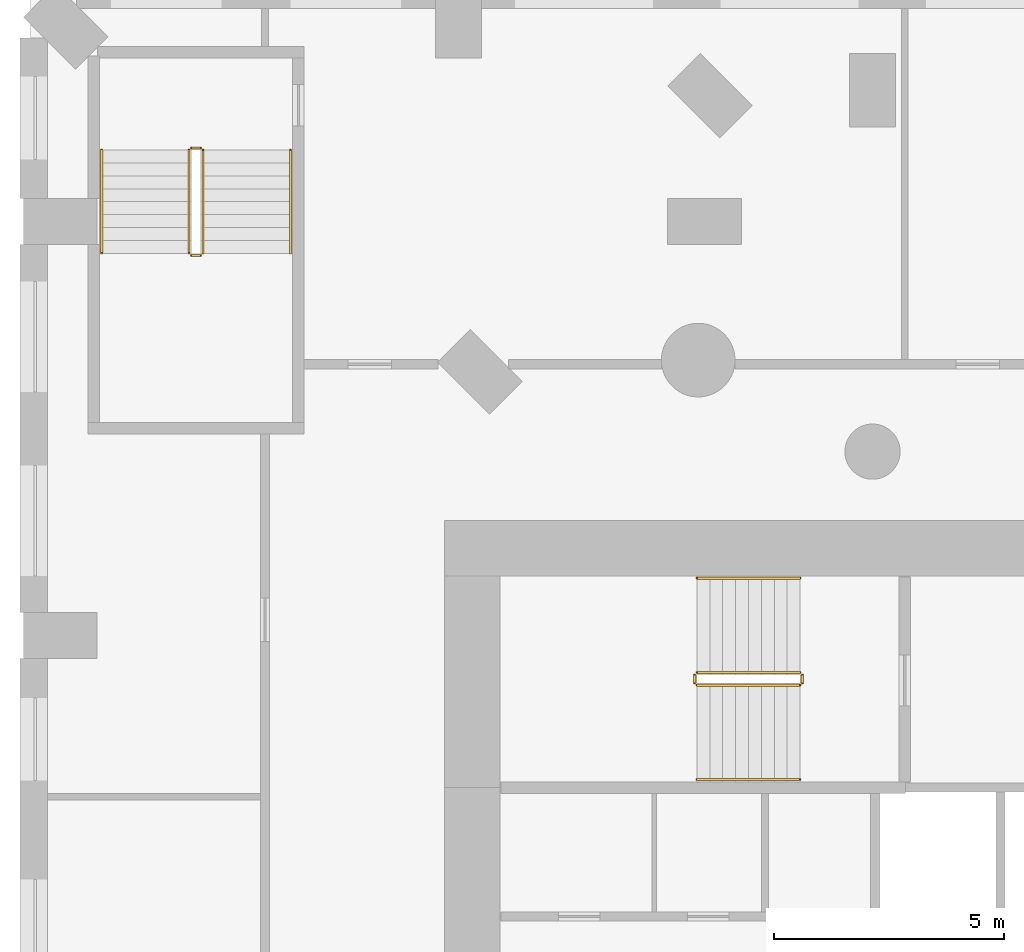
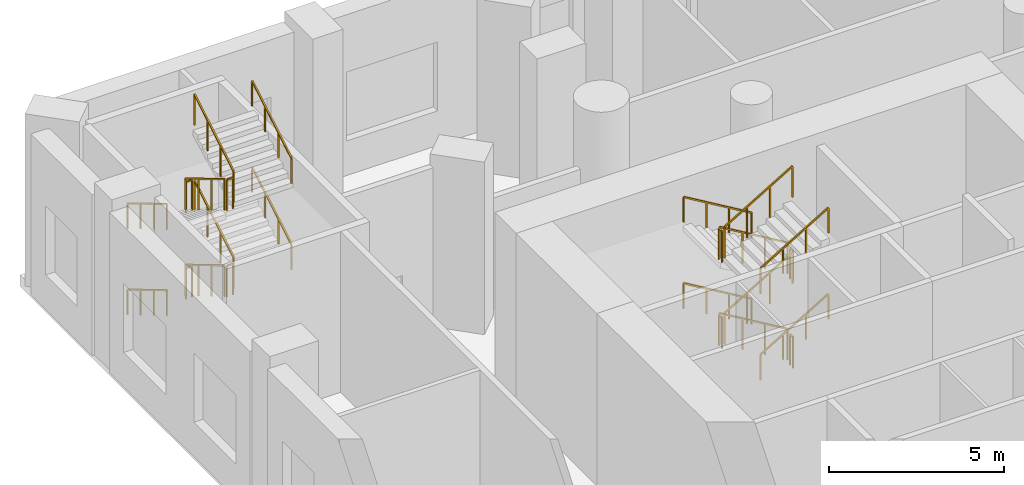
# One storey, part 18 of 19: 24 railings.
"""IFC4 building model written with IfcOpenShell, lengths in metres."""

import ifcopenshell
import ifcopenshell.guid

model = None  # the IFC model being written
_history = None  # IfcOwnerHistory: only IFC2X3 demands one
_inside = {}  # id of a spatial element -> (the spatial element, [elements in it])
_under = {}  # id of a project, library or spatial element -> (it, [spatial elements below it])
_declared = {}  # id of a project -> (the project, [libraries it declares])
_typed = {}  # id of a type object -> (the type object, [elements of that type])
_made_of = {}  # id of a material, layer set ... -> (it, [elements and type objects made of it])


def new_model(schema):
    """Start an empty IFC model of exactly this schema.

    Asked for "IFC4X3", IfcOpenShell would pick the latest addendum, in which some entities
    have other attributes; the version numbers below select the first issue.
    IFC2X3 requires an IfcOwnerHistory on every rooted entity: one is made here for all.
    """
    global model, _history
    if schema == "IFC4X3":
        model = ifcopenshell.file(schema_version=(4, 3, 0, 0))
    else:
        model = ifcopenshell.file(schema=schema)
    _inside.clear()
    _under.clear()
    _declared.clear()
    _typed.clear()
    _made_of.clear()
    _history = None
    if model.schema == "IFC2X3":
        org = make("IfcOrganization", Name="unknown")
        user = make(
            "IfcPersonAndOrganization",
            ThePerson=make("IfcPerson", FamilyName="unknown"),
            TheOrganization=org,
        )
        app = make(
            "IfcApplication",
            ApplicationDeveloper=org,
            Version="unknown",
            ApplicationFullName="unknown",
            ApplicationIdentifier="unknown",
        )
        _history = make(
            "IfcOwnerHistory",
            OwningUser=user,
            OwningApplication=app,
            ChangeAction="ADDED",
            CreationDate=0,
        )
    return model


def make(cls, **values):
    """One entity of the class cls with the attributes given. An attribute that is None is left unset."""
    return model.create_entity(
        cls, **{name: value for name, value in values.items() if value is not None}
    )


def rooted(cls, **values):
    """An entity with a GlobalId (a new one), such as an element, a storey or a relation."""
    return make(cls, GlobalId=ifcopenshell.guid.new(), OwnerHistory=_history, **values)


def si_unit(unit_type, name, prefix=None):
    """IfcSIUnit, for example si_unit("LENGTHUNIT", "METRE", prefix="MILLI")."""
    return make("IfcSIUnit", UnitType=unit_type, Prefix=prefix, Name=name)


def assignment(units):
    """IfcUnitAssignment: the units of a project."""
    return None if units is None else make("IfcUnitAssignment", Units=units)


def point(xyz):
    """IfcCartesianPoint."""
    return None if xyz is None else make("IfcCartesianPoint", Coordinates=xyz)


def direction(xyz):
    """IfcDirection."""
    return None if xyz is None else make("IfcDirection", DirectionRatios=xyz)


def frame(location, z_axis=None, x_axis=None):
    """IfcAxis2Placement3D, a coordinate frame: its origin and axes. An axis left out is left unset."""
    return make(
        "IfcAxis2Placement3D",
        Location=point(location),
        Axis=direction(z_axis),
        RefDirection=direction(x_axis),
    )


def frame_2d(location, x_axis=None):
    """IfcAxis2Placement2D, a coordinate frame in the plane: its origin and x axis."""
    return make(
        "IfcAxis2Placement2D", Location=point(location), RefDirection=direction(x_axis)
    )


def origin():
    """The frame at (0, 0, 0) with its axes left unset."""
    return frame((0.0, 0.0, 0.0))


def origin_2d():
    """The frame at (0, 0) in the plane with its x axis left unset."""
    return frame_2d((0.0, 0.0))


def place(relative_to, where):
    """IfcLocalPlacement: puts the frame where relative to a parent placement (None: the world)."""
    return make(
        "IfcLocalPlacement", PlacementRelTo=relative_to, RelativePlacement=where
    )


def context(
    kind, dimensions, precision=None, world=None, true_north=None, identifier=None
):
    """IfcGeometricRepresentationContext, for example the 3D "Model" context."""
    return make(
        "IfcGeometricRepresentationContext",
        ContextIdentifier=identifier,
        ContextType=kind,
        CoordinateSpaceDimension=dimensions,
        Precision=precision,
        WorldCoordinateSystem=world,
        TrueNorth=true_north,
    )


def subcontext(parent, identifier, kind, view, scale=None):
    """IfcGeometricRepresentationSubContext, for example "Body" below "Model"."""
    return make(
        "IfcGeometricRepresentationSubContext",
        ContextIdentifier=identifier,
        ContextType=kind,
        ParentContext=parent,
        TargetScale=scale,
        TargetView=view,
    )


def project(units=None, contexts=None):
    """IfcProject with its units and contexts."""
    return rooted(
        "IfcProject",
        Name="project",
        RepresentationContexts=contexts,
        UnitsInContext=assignment(units),
    )


def spatial(cls, under=None, at=None, **own):
    """A site, building, storey or space (cls), placed at a placement, below another one or the project."""
    s = rooted(cls, ObjectPlacement=at, **own)
    if under is not None:
        _under.setdefault(under.id(), (under, []))[1].append(s)
    return s


def profile(cls, at=None, kind="AREA", **sizes):
    """A parametric profile (cls). Its sizes go by their IFC names, for example OverallWidth=200.0."""
    return make(cls, ProfileType=kind, Position=at, **sizes)


def rectangle(**sizes):
    """IfcRectangleProfileDef."""
    return profile("IfcRectangleProfileDef", **sizes)


def extrude(swept, where, along, depth):
    """IfcExtrudedAreaSolid: the profile swept, set in the frame where, extruded along a direction by depth."""
    return make(
        "IfcExtrudedAreaSolid",
        SweptArea=swept,
        Position=where,
        ExtrudedDirection=direction(along),
        Depth=depth,
    )


def shape(context_of_items, identifier, shape_type, items):
    """IfcShapeRepresentation: the items that make up one representation, for example the "Body"."""
    return make(
        "IfcShapeRepresentation",
        ContextOfItems=context_of_items,
        RepresentationIdentifier=identifier,
        RepresentationType=shape_type,
        Items=items,
    )


def material(Name=None, Category=None):
    """IfcMaterial."""
    return make("IfcMaterial", Name=Name, Category=Category)


def made_of(thing, what):
    """Note that an element or type object is made of a material, layer set ...; save() writes the relation."""
    if what is not None:
        _made_of.setdefault(what.id(), (what, []))[1].append(thing)
    return thing


def type_object(cls, material=None, **own):
    """A type object (cls), such as IfcWallType, which elements share."""
    return made_of(rooted(cls, **own), material)


def element(
    cls,
    number,
    at=None,
    inside=None,
    cuts=None,
    type_object=None,
    material=None,
    context=None,
    identifier="Body",
    shape_type=None,
    held_by="IfcProductDefinitionShape",
    body=None,
    shapes=None,
    **own,
):
    """One element of the class cls, such as IfcWall. Its Tag is "e" and its number.

    at: its placement. inside: the storey or other place that contains it. cuts: it is an
    opening in that element (IfcRelVoidsElement). A single representation is given by context,
    identifier, shape_type and body (its items); several are given by shapes. held_by: the class
    of the entity that holds the representations. save() writes the other relations.
    """
    e = rooted(cls, Tag="e%d" % number, ObjectPlacement=at, **own)
    if body is not None:
        shapes = [shape(context, identifier, shape_type, body)]
    if shapes is not None:
        e.Representation = make(held_by, Representations=shapes)
    if inside is not None:
        _inside.setdefault(inside.id(), (inside, []))[1].append(e)
    if cuts is not None:
        rooted(
            "IfcRelVoidsElement", RelatingBuildingElement=cuts, RelatedOpeningElement=e
        )
    if type_object is not None:
        _typed.setdefault(type_object.id(), (type_object, []))[1].append(e)
    return made_of(e, material)


def aggregate(whole, parts):
    """IfcRelAggregates: a whole, such as a stair, and the parts it consists of."""
    return rooted("IfcRelAggregates", RelatingObject=whole, RelatedObjects=parts)


def save(model, path):
    """Write the relations noted so far, then the file.

    IfcRelAggregates (storeys below a building ...), IfcRelContainedInSpatialStructure (elements
    in a storey), IfcRelDefinesByType, IfcRelAssociatesMaterial and IfcRelDeclares: one each for
    every whole, place, type object, material and project.
    """
    for whole, parts in _under.values():
        aggregate(whole, parts)
    for where, things in _inside.values():
        rooted(
            "IfcRelContainedInSpatialStructure",
            RelatedElements=things,
            RelatingStructure=where,
        )
    for kind, things in _typed.values():
        rooted("IfcRelDefinesByType", RelatedObjects=things, RelatingType=kind)
    for what, things in _made_of.values():
        rooted("IfcRelAssociatesMaterial", RelatedObjects=things, RelatingMaterial=what)
    for by, libraries in _declared.values():
        rooted("IfcRelDeclares", RelatingContext=by, RelatedDefinitions=libraries)
    model.write(path)


model = new_model("IFC4")

# Units and contexts
model_context = context("Model", 3, precision=1e-05, world=origin(), true_north=direction((0.0, 1.0)))
body_context = subcontext(model_context, "Body", "Model", "MODEL_VIEW")
ifc_project = project(units=[si_unit("LENGTHUNIT", "METRE"), si_unit("AREAUNIT", "SQUARE_METRE"), si_unit("VOLUMEUNIT", "CUBIC_METRE"), si_unit("PLANEANGLEUNIT", "RADIAN"), si_unit("MASSUNIT", "GRAM", prefix="KILO")], contexts=[model_context])

# Site, building, storey
site_placement = place(None, origin())
site = spatial("IfcSite", under=ifc_project, at=site_placement, CompositionType="ELEMENT")
building_placement = place(site_placement, origin())
building = spatial("IfcBuilding", under=site, at=building_placement, Name="Cypress Arch Tower", CompositionType="ELEMENT")
storey_placement = place(building_placement, frame((0.0, 0.0, 44.0)))
storey = spatial("IfcBuildingStorey", under=building, at=storey_placement, Name="L05", CompositionType="ELEMENT", Elevation=44.0)

# Railings
ifc_material_1 = material(Name="Black powder-coated steel square bar 48 mm", Category="steel")
railing_type_1 = type_object("IfcRailingType", Name="Stair handrail HR1", PredefinedType="HANDRAIL", material=ifc_material_1)
railing_1_placement = place(storey_placement, frame((-22.27490234375, 14.75, 0.166748046875)))
element("IfcRailing", 1, at=railing_1_placement, inside=storey, type_object=railing_type_1, Name="L05 B stair handrail 1", PredefinedType="HANDRAIL", context=body_context, shape_type="SweptSolid", body=[
    extrude(rectangle(XDim=0.048095703125, YDim=0.048095703125, at=origin_2d()), frame((0.0, 0.0, 0.8759765625), z_axis=(-0.859305625298, 0.0, 0.511462454469), x_axis=(0.0, -1.0, 0.0)), (0.0, 0.0, 1.0), 2.606689453125),
    extrude(rectangle(XDim=0.0419921875, YDim=0.0419921875, at=origin_2d()), origin(), (0.0, 0.0, 1.0), 0.851806640625),
    extrude(rectangle(XDim=0.0419921875, YDim=0.0419921875, at=origin_2d()), frame((-0.74658203125, 0.0, 0.4443359375)), (0.0, 0.0, 1.0), 0.851806640625),
    extrude(rectangle(XDim=0.0419921875, YDim=0.0419921875, at=origin_2d()), frame((-1.493408203125, 0.0, 0.888916015625)), (0.0, 0.0, 1.0), 0.851806640625),
    extrude(rectangle(XDim=0.0419921875, YDim=0.0419921875, at=origin_2d()), frame((-2.239990234375, 0.0, 1.333251953125)), (0.0, 0.0, 1.0), 0.851806640625),
])
railing_2_placement = place(storey_placement, frame((-24.514892578125, 10.375, 1.666748046875)))
element("IfcRailing", 2, at=railing_2_placement, inside=storey, type_object=railing_type_1, Name="L05 B stair handrail 2", PredefinedType="HANDRAIL", context=body_context, shape_type="SweptSolid", body=[
    extrude(rectangle(XDim=0.048095703125, YDim=0.048095703125, at=origin_2d()), frame((0.0, 0.0, 0.8759765625), z_axis=(0.859305625298, 0.0, 0.511462454469), x_axis=(0.0, 1.0, 0.0)), (0.0, 0.0, 1.0), 2.606689453125),
    extrude(rectangle(XDim=0.0419921875, YDim=0.0419921875, at=origin_2d()), origin(), (0.0, 0.0, 1.0), 0.851806640625),
    extrude(rectangle(XDim=0.0419921875, YDim=0.0419921875, at=origin_2d()), frame((0.74658203125, 0.0, 0.4443359375)), (0.0, 0.0, 1.0), 0.851806640625),
    extrude(rectangle(XDim=0.0419921875, YDim=0.0419921875, at=origin_2d()), frame((1.493408203125, 0.0, 0.888916015625)), (0.0, 0.0, 1.0), 0.851806640625),
    extrude(rectangle(XDim=0.0419921875, YDim=0.0419921875, at=origin_2d()), frame((2.239990234375, 0.0, 1.333251953125)), (0.0, 0.0, 1.0), 0.851806640625),
])
railing_3_placement = place(storey_placement, frame((-22.27490234375, 14.75, 3.166748046875)))
element("IfcRailing", 3, at=railing_3_placement, inside=storey, type_object=railing_type_1, Name="L05 B stair handrail 3", PredefinedType="HANDRAIL", context=body_context, shape_type="SweptSolid", body=[
    extrude(rectangle(XDim=0.048095703125, YDim=0.048095703125, at=origin_2d()), frame((0.0, 0.0, 0.8759765625), z_axis=(-0.859305625298, 0.0, 0.511462454469), x_axis=(0.0, -1.0, 0.0)), (0.0, 0.0, 1.0), 2.606689453125),
    extrude(rectangle(XDim=0.0419921875, YDim=0.0419921875, at=origin_2d()), origin(), (0.0, 0.0, 1.0), 0.851806640625),
    extrude(rectangle(XDim=0.0419921875, YDim=0.0419921875, at=origin_2d()), frame((-0.74658203125, 0.0, 0.4443359375)), (0.0, 0.0, 1.0), 0.851806640625),
    extrude(rectangle(XDim=0.0419921875, YDim=0.0419921875, at=origin_2d()), frame((-1.493408203125, 0.0, 0.888916015625)), (0.0, 0.0, 1.0), 0.851806640625),
    extrude(rectangle(XDim=0.0419921875, YDim=0.0419921875, at=origin_2d()), frame((-2.239990234375, 0.0, 1.333251953125)), (0.0, 0.0, 1.0), 0.851806640625),
])
railing_4_placement = place(storey_placement, frame((-24.514892578125, 10.375, 4.666748046875)))
element("IfcRailing", 4, at=railing_4_placement, inside=storey, type_object=railing_type_1, Name="L05 B stair handrail 4", PredefinedType="HANDRAIL", context=body_context, shape_type="SweptSolid", body=[
    extrude(rectangle(XDim=0.048095703125, YDim=0.048095703125, at=origin_2d()), frame((0.0, 0.0, 0.8759765625), z_axis=(0.859305625298, 0.0, 0.511462454469), x_axis=(0.0, 1.0, 0.0)), (0.0, 0.0, 1.0), 2.606689453125),
    extrude(rectangle(XDim=0.0419921875, YDim=0.0419921875, at=origin_2d()), origin(), (0.0, 0.0, 1.0), 0.851806640625),
    extrude(rectangle(XDim=0.0419921875, YDim=0.0419921875, at=origin_2d()), frame((0.74658203125, 0.0, 0.4443359375)), (0.0, 0.0, 1.0), 0.851806640625),
    extrude(rectangle(XDim=0.0419921875, YDim=0.0419921875, at=origin_2d()), frame((1.493408203125, 0.0, 0.888916015625)), (0.0, 0.0, 1.0), 0.851806640625),
    extrude(rectangle(XDim=0.0419921875, YDim=0.0419921875, at=origin_2d()), frame((2.239990234375, 0.0, 1.333251953125)), (0.0, 0.0, 1.0), 0.851806640625),
])
railing_5_placement = place(storey_placement, frame((-37.449951171875, 24.050048828125, 0.166748046875)))
element("IfcRailing", 5, at=railing_5_placement, inside=storey, type_object=railing_type_1, Name="L05 P2 stair handrail 1", PredefinedType="HANDRAIL", context=body_context, shape_type="SweptSolid", body=[
    extrude(rectangle(XDim=0.048095703125, YDim=0.048095703125, at=origin_2d()), frame((0.0, 0.0, 0.8759765625), z_axis=(0.0, -0.859305625298, 0.511462454469), x_axis=(1.0, 0.0, 0.0)), (0.0, 0.0, 1.0), 2.606689453125),
    extrude(rectangle(XDim=0.0419921875, YDim=0.0419921875, at=origin_2d()), origin(), (0.0, 0.0, 1.0), 0.851806640625),
    extrude(rectangle(XDim=0.0419921875, YDim=0.0419921875, at=origin_2d()), frame((0.0, -0.74658203125, 0.4443359375)), (0.0, 0.0, 1.0), 0.851806640625),
    extrude(rectangle(XDim=0.0419921875, YDim=0.0419921875, at=origin_2d()), frame((0.0, -1.493408203125, 0.888916015625)), (0.0, 0.0, 1.0), 0.851806640625),
    extrude(rectangle(XDim=0.0419921875, YDim=0.0419921875, at=origin_2d()), frame((0.0, -2.239990234375, 1.333251953125)), (0.0, 0.0, 1.0), 0.851806640625),
])
railing_6_placement = place(storey_placement, frame((-33.35009765625, 21.81005859375, 1.666748046875)))
element("IfcRailing", 6, at=railing_6_placement, inside=storey, type_object=railing_type_1, Name="L05 P2 stair handrail 2", PredefinedType="HANDRAIL", context=body_context, shape_type="SweptSolid", body=[
    extrude(rectangle(XDim=0.048095703125, YDim=0.048095703125, at=origin_2d()), frame((0.0, 0.0, 0.8759765625), z_axis=(0.0, 0.859305625298, 0.511462454469), x_axis=(-1.0, 0.0, 0.0)), (0.0, 0.0, 1.0), 2.606689453125),
    extrude(rectangle(XDim=0.0419921875, YDim=0.0419921875, at=origin_2d()), origin(), (0.0, 0.0, 1.0), 0.851806640625),
    extrude(rectangle(XDim=0.0419921875, YDim=0.0419921875, at=origin_2d()), frame((0.0, 0.74658203125, 0.4443359375)), (0.0, 0.0, 1.0), 0.851806640625),
    extrude(rectangle(XDim=0.0419921875, YDim=0.0419921875, at=origin_2d()), frame((0.0, 1.493408203125, 0.888916015625)), (0.0, 0.0, 1.0), 0.851806640625),
    extrude(rectangle(XDim=0.0419921875, YDim=0.0419921875, at=origin_2d()), frame((0.0, 2.239990234375, 1.333251953125)), (0.0, 0.0, 1.0), 0.851806640625),
])
railing_7_placement = place(storey_placement, frame((-37.449951171875, 24.050048828125, 3.166748046875)))
element("IfcRailing", 7, at=railing_7_placement, inside=storey, type_object=railing_type_1, Name="L05 P2 stair handrail 3", PredefinedType="HANDRAIL", context=body_context, shape_type="SweptSolid", body=[
    extrude(rectangle(XDim=0.048095703125, YDim=0.048095703125, at=origin_2d()), frame((0.0, 0.0, 0.8759765625), z_axis=(0.0, -0.859305625298, 0.511462454469), x_axis=(1.0, 0.0, 0.0)), (0.0, 0.0, 1.0), 2.606689453125),
    extrude(rectangle(XDim=0.0419921875, YDim=0.0419921875, at=origin_2d()), origin(), (0.0, 0.0, 1.0), 0.851806640625),
    extrude(rectangle(XDim=0.0419921875, YDim=0.0419921875, at=origin_2d()), frame((0.0, -0.74658203125, 0.4443359375)), (0.0, 0.0, 1.0), 0.851806640625),
    extrude(rectangle(XDim=0.0419921875, YDim=0.0419921875, at=origin_2d()), frame((0.0, -1.493408203125, 0.888916015625)), (0.0, 0.0, 1.0), 0.851806640625),
    extrude(rectangle(XDim=0.0419921875, YDim=0.0419921875, at=origin_2d()), frame((0.0, -2.239990234375, 1.333251953125)), (0.0, 0.0, 1.0), 0.851806640625),
])
railing_8_placement = place(storey_placement, frame((-33.35009765625, 21.81005859375, 4.666748046875)))
element("IfcRailing", 8, at=railing_8_placement, inside=storey, type_object=railing_type_1, Name="L05 P2 stair handrail 4", PredefinedType="HANDRAIL", context=body_context, shape_type="SweptSolid", body=[
    extrude(rectangle(XDim=0.048095703125, YDim=0.048095703125, at=origin_2d()), frame((0.0, 0.0, 0.8759765625), z_axis=(0.0, 0.859305625298, 0.511462454469), x_axis=(-1.0, 0.0, 0.0)), (0.0, 0.0, 1.0), 2.606689453125),
    extrude(rectangle(XDim=0.0419921875, YDim=0.0419921875, at=origin_2d()), origin(), (0.0, 0.0, 1.0), 0.851806640625),
    extrude(rectangle(XDim=0.0419921875, YDim=0.0419921875, at=origin_2d()), frame((0.0, 0.74658203125, 0.4443359375)), (0.0, 0.0, 1.0), 0.851806640625),
    extrude(rectangle(XDim=0.0419921875, YDim=0.0419921875, at=origin_2d()), frame((0.0, 1.493408203125, 0.888916015625)), (0.0, 0.0, 1.0), 0.851806640625),
    extrude(rectangle(XDim=0.0419921875, YDim=0.0419921875, at=origin_2d()), frame((0.0, 2.239990234375, 1.333251953125)), (0.0, 0.0, 1.0), 0.851806640625),
])
ifc_material_2 = material(Name="Black powder-coated steel balusters", Category="steel")
railing_type_2 = type_object("IfcRailingType", Name="Stair well guard G1", PredefinedType="GUARDRAIL", material=ifc_material_2)
railing_9_placement = place(storey_placement, frame((-22.27490234375, 12.699951171875, 0.166748046875)))
element("IfcRailing", 9, at=railing_9_placement, inside=storey, type_object=railing_type_2, Name="L05 B stair guard 1", PredefinedType="GUARDRAIL", context=body_context, shape_type="SweptSolid", body=[
    extrude(rectangle(XDim=0.048095703125, YDim=0.048095703125, at=origin_2d()), frame((0.0, 0.0, 1.076171875), z_axis=(-0.859305625298, 0.0, 0.511462454469), x_axis=(0.0, -1.0, 0.0)), (0.0, 0.0, 1.0), 2.606689453125),
    extrude(rectangle(XDim=0.0419921875, YDim=0.0419921875, at=origin_2d()), origin(), (0.0, 0.0, 1.0), 1.052001953125),
    extrude(rectangle(XDim=0.0419921875, YDim=0.0419921875, at=origin_2d()), frame((-0.74658203125, 0.0, 0.4443359375)), (0.0, 0.0, 1.0), 1.052001953125),
    extrude(rectangle(XDim=0.0419921875, YDim=0.0419921875, at=origin_2d()), frame((-1.493408203125, 0.0, 0.888916015625)), (0.0, 0.0, 1.0), 1.052001953125),
    extrude(rectangle(XDim=0.0419921875, YDim=0.0419921875, at=origin_2d()), frame((-2.239990234375, 0.0, 1.333251953125)), (0.0, 0.0, 1.0), 1.052001953125),
])
railing_10_placement = place(storey_placement, frame((-24.56494140625, 12.64990234375, 1.5)))
element("IfcRailing", 10, at=railing_10_placement, inside=storey, type_object=railing_type_2, Name="L05 B stair guard 2", PredefinedType="GUARDRAIL", context=body_context, shape_type="SweptSolid", body=[
    extrude(rectangle(XDim=0.048095703125, YDim=0.048095703125, at=origin_2d()), frame((0.0, 0.0, 1.076171875), z_axis=(0.0, -1.0, 0.0), x_axis=(1.0, 0.0, 0.0)), (0.0, 0.0, 1.0), 0.1748046875),
    extrude(rectangle(XDim=0.0419921875, YDim=0.0419921875, at=origin_2d()), origin(), (0.0, 0.0, 1.0), 1.052001953125),
    extrude(rectangle(XDim=0.0419921875, YDim=0.0419921875, at=origin_2d()), frame((0.0, -0.1748046875, 0.0)), (0.0, 0.0, 1.0), 1.052001953125),
])
railing_11_placement = place(storey_placement, frame((-24.514892578125, 12.425048828125, 1.666748046875)))
element("IfcRailing", 11, at=railing_11_placement, inside=storey, type_object=railing_type_2, Name="L05 B stair guard 3", PredefinedType="GUARDRAIL", context=body_context, shape_type="SweptSolid", body=[
    extrude(rectangle(XDim=0.048095703125, YDim=0.048095703125, at=origin_2d()), frame((0.0, 0.0, 1.076171875), z_axis=(0.859305625298, 0.0, 0.511462454469), x_axis=(0.0, 1.0, 0.0)), (0.0, 0.0, 1.0), 2.606689453125),
    extrude(rectangle(XDim=0.0419921875, YDim=0.0419921875, at=origin_2d()), origin(), (0.0, 0.0, 1.0), 1.052001953125),
    extrude(rectangle(XDim=0.0419921875, YDim=0.0419921875, at=origin_2d()), frame((0.74658203125, 0.0, 0.4443359375)), (0.0, 0.0, 1.0), 1.052001953125),
    extrude(rectangle(XDim=0.0419921875, YDim=0.0419921875, at=origin_2d()), frame((1.493408203125, 0.0, 0.888916015625)), (0.0, 0.0, 1.0), 1.052001953125),
    extrude(rectangle(XDim=0.0419921875, YDim=0.0419921875, at=origin_2d()), frame((2.239990234375, 0.0, 1.333251953125)), (0.0, 0.0, 1.0), 1.052001953125),
])
railing_12_placement = place(storey_placement, frame((-22.22509765625, 12.64990234375, 3.0)))
element("IfcRailing", 12, at=railing_12_placement, inside=storey, type_object=railing_type_2, Name="L05 B stair guard 4", PredefinedType="GUARDRAIL", context=body_context, shape_type="SweptSolid", body=[
    extrude(rectangle(XDim=0.048095703125, YDim=0.048095703125, at=origin_2d()), frame((0.0, 0.0, 1.076171875), z_axis=(0.0, -1.0, 0.0), x_axis=(1.0, 0.0, 0.0)), (0.0, 0.0, 1.0), 0.1748046875),
    extrude(rectangle(XDim=0.0419921875, YDim=0.0419921875, at=origin_2d()), origin(), (0.0, 0.0, 1.0), 1.052001953125),
    extrude(rectangle(XDim=0.0419921875, YDim=0.0419921875, at=origin_2d()), frame((0.0, -0.1748046875, 0.0)), (0.0, 0.0, 1.0), 1.052001953125),
])
railing_13_placement = place(storey_placement, frame((-22.27490234375, 12.699951171875, 3.166748046875)))
element("IfcRailing", 13, at=railing_13_placement, inside=storey, type_object=railing_type_2, Name="L05 B stair guard 5", PredefinedType="GUARDRAIL", context=body_context, shape_type="SweptSolid", body=[
    extrude(rectangle(XDim=0.048095703125, YDim=0.048095703125, at=origin_2d()), frame((0.0, 0.0, 1.076171875), z_axis=(-0.859305625298, 0.0, 0.511462454469), x_axis=(0.0, -1.0, 0.0)), (0.0, 0.0, 1.0), 2.606689453125),
    extrude(rectangle(XDim=0.0419921875, YDim=0.0419921875, at=origin_2d()), origin(), (0.0, 0.0, 1.0), 1.052001953125),
    extrude(rectangle(XDim=0.0419921875, YDim=0.0419921875, at=origin_2d()), frame((-0.74658203125, 0.0, 0.4443359375)), (0.0, 0.0, 1.0), 1.052001953125),
    extrude(rectangle(XDim=0.0419921875, YDim=0.0419921875, at=origin_2d()), frame((-1.493408203125, 0.0, 0.888916015625)), (0.0, 0.0, 1.0), 1.052001953125),
    extrude(rectangle(XDim=0.0419921875, YDim=0.0419921875, at=origin_2d()), frame((-2.239990234375, 0.0, 1.333251953125)), (0.0, 0.0, 1.0), 1.052001953125),
])
railing_14_placement = place(storey_placement, frame((-24.56494140625, 12.64990234375, 4.5)))
element("IfcRailing", 14, at=railing_14_placement, inside=storey, type_object=railing_type_2, Name="L05 B stair guard 6", PredefinedType="GUARDRAIL", context=body_context, shape_type="SweptSolid", body=[
    extrude(rectangle(XDim=0.048095703125, YDim=0.048095703125, at=origin_2d()), frame((0.0, 0.0, 1.076171875), z_axis=(0.0, -1.0, 0.0), x_axis=(1.0, 0.0, 0.0)), (0.0, 0.0, 1.0), 0.1748046875),
    extrude(rectangle(XDim=0.0419921875, YDim=0.0419921875, at=origin_2d()), origin(), (0.0, 0.0, 1.0), 1.052001953125),
    extrude(rectangle(XDim=0.0419921875, YDim=0.0419921875, at=origin_2d()), frame((0.0, -0.1748046875, 0.0)), (0.0, 0.0, 1.0), 1.052001953125),
])
railing_15_placement = place(storey_placement, frame((-24.514892578125, 12.425048828125, 4.666748046875)))
element("IfcRailing", 15, at=railing_15_placement, inside=storey, type_object=railing_type_2, Name="L05 B stair guard 7", PredefinedType="GUARDRAIL", context=body_context, shape_type="SweptSolid", body=[
    extrude(rectangle(XDim=0.048095703125, YDim=0.048095703125, at=origin_2d()), frame((0.0, 0.0, 1.076171875), z_axis=(0.859305625298, 0.0, 0.511462454469), x_axis=(0.0, 1.0, 0.0)), (0.0, 0.0, 1.0), 2.606689453125),
    extrude(rectangle(XDim=0.0419921875, YDim=0.0419921875, at=origin_2d()), origin(), (0.0, 0.0, 1.0), 1.052001953125),
    extrude(rectangle(XDim=0.0419921875, YDim=0.0419921875, at=origin_2d()), frame((0.74658203125, 0.0, 0.4443359375)), (0.0, 0.0, 1.0), 1.052001953125),
    extrude(rectangle(XDim=0.0419921875, YDim=0.0419921875, at=origin_2d()), frame((1.493408203125, 0.0, 0.888916015625)), (0.0, 0.0, 1.0), 1.052001953125),
    extrude(rectangle(XDim=0.0419921875, YDim=0.0419921875, at=origin_2d()), frame((2.239990234375, 0.0, 1.333251953125)), (0.0, 0.0, 1.0), 1.052001953125),
])
railing_16_placement = place(storey_placement, frame((-22.22509765625, 12.64990234375, 0.0)))
element("IfcRailing", 16, at=railing_16_placement, inside=storey, type_object=railing_type_2, Name="L05 B stair guard 8", PredefinedType="GUARDRAIL", context=body_context, shape_type="SweptSolid", body=[
    extrude(rectangle(XDim=0.048095703125, YDim=0.048095703125, at=origin_2d()), frame((0.0, 0.0, 1.076171875), z_axis=(0.0, -1.0, 0.0), x_axis=(1.0, 0.0, 0.0)), (0.0, 0.0, 1.0), 0.1748046875),
    extrude(rectangle(XDim=0.0419921875, YDim=0.0419921875, at=origin_2d()), origin(), (0.0, 0.0, 1.0), 1.052001953125),
    extrude(rectangle(XDim=0.0419921875, YDim=0.0419921875, at=origin_2d()), frame((0.0, -0.1748046875, 0.0)), (0.0, 0.0, 1.0), 1.052001953125),
])
railing_17_placement = place(storey_placement, frame((-35.550048828125, 24.050048828125, 0.166748046875)))
element("IfcRailing", 17, at=railing_17_placement, inside=storey, type_object=railing_type_2, Name="L05 P2 stair guard 1", PredefinedType="GUARDRAIL", context=body_context, shape_type="SweptSolid", body=[
    extrude(rectangle(XDim=0.048095703125, YDim=0.048095703125, at=origin_2d()), frame((0.0, 0.0, 1.076171875), z_axis=(0.0, -0.859305625298, 0.511462454469), x_axis=(1.0, 0.0, 0.0)), (0.0, 0.0, 1.0), 2.606689453125),
    extrude(rectangle(XDim=0.0419921875, YDim=0.0419921875, at=origin_2d()), origin(), (0.0, 0.0, 1.0), 1.052001953125),
    extrude(rectangle(XDim=0.0419921875, YDim=0.0419921875, at=origin_2d()), frame((0.0, -0.74658203125, 0.4443359375)), (0.0, 0.0, 1.0), 1.052001953125),
    extrude(rectangle(XDim=0.0419921875, YDim=0.0419921875, at=origin_2d()), frame((0.0, -1.493408203125, 0.888916015625)), (0.0, 0.0, 1.0), 1.052001953125),
    extrude(rectangle(XDim=0.0419921875, YDim=0.0419921875, at=origin_2d()), frame((0.0, -2.239990234375, 1.333251953125)), (0.0, 0.0, 1.0), 1.052001953125),
])
railing_18_placement = place(storey_placement, frame((-35.5, 21.760009765625, 1.5)))
element("IfcRailing", 18, at=railing_18_placement, inside=storey, type_object=railing_type_2, Name="L05 P2 stair guard 2", PredefinedType="GUARDRAIL", context=body_context, shape_type="SweptSolid", body=[
    extrude(rectangle(XDim=0.048095703125, YDim=0.048095703125, at=origin_2d()), frame((0.0, 0.0, 1.076171875), z_axis=(1.0, 0.0, 0.0), x_axis=(0.0, 1.0, 0.0)), (0.0, 0.0, 1.0), 0.199951171875),
    extrude(rectangle(XDim=0.0419921875, YDim=0.0419921875, at=origin_2d()), origin(), (0.0, 0.0, 1.0), 1.052001953125),
    extrude(rectangle(XDim=0.0419921875, YDim=0.0419921875, at=origin_2d()), frame((0.199951171875, 0.0, 0.0)), (0.0, 0.0, 1.0), 1.052001953125),
])
railing_19_placement = place(storey_placement, frame((-35.25, 21.81005859375, 1.666748046875)))
element("IfcRailing", 19, at=railing_19_placement, inside=storey, type_object=railing_type_2, Name="L05 P2 stair guard 3", PredefinedType="GUARDRAIL", context=body_context, shape_type="SweptSolid", body=[
    extrude(rectangle(XDim=0.048095703125, YDim=0.048095703125, at=origin_2d()), frame((0.0, 0.0, 1.076171875), z_axis=(0.0, 0.859305625298, 0.511462454469), x_axis=(-1.0, 0.0, 0.0)), (0.0, 0.0, 1.0), 2.606689453125),
    extrude(rectangle(XDim=0.0419921875, YDim=0.0419921875, at=origin_2d()), origin(), (0.0, 0.0, 1.0), 1.052001953125),
    extrude(rectangle(XDim=0.0419921875, YDim=0.0419921875, at=origin_2d()), frame((0.0, 0.74658203125, 0.4443359375)), (0.0, 0.0, 1.0), 1.052001953125),
    extrude(rectangle(XDim=0.0419921875, YDim=0.0419921875, at=origin_2d()), frame((0.0, 1.493408203125, 0.888916015625)), (0.0, 0.0, 1.0), 1.052001953125),
    extrude(rectangle(XDim=0.0419921875, YDim=0.0419921875, at=origin_2d()), frame((0.0, 2.239990234375, 1.333251953125)), (0.0, 0.0, 1.0), 1.052001953125),
])
railing_20_placement = place(storey_placement, frame((-35.5, 24.10009765625, 3.0)))
element("IfcRailing", 20, at=railing_20_placement, inside=storey, type_object=railing_type_2, Name="L05 P2 stair guard 4", PredefinedType="GUARDRAIL", context=body_context, shape_type="SweptSolid", body=[
    extrude(rectangle(XDim=0.048095703125, YDim=0.048095703125, at=origin_2d()), frame((0.0, 0.0, 1.076171875), z_axis=(1.0, 0.0, 0.0), x_axis=(0.0, 1.0, 0.0)), (0.0, 0.0, 1.0), 0.199951171875),
    extrude(rectangle(XDim=0.0419921875, YDim=0.0419921875, at=origin_2d()), origin(), (0.0, 0.0, 1.0), 1.052001953125),
    extrude(rectangle(XDim=0.0419921875, YDim=0.0419921875, at=origin_2d()), frame((0.199951171875, 0.0, 0.0)), (0.0, 0.0, 1.0), 1.052001953125),
])
railing_21_placement = place(storey_placement, frame((-35.550048828125, 24.050048828125, 3.166748046875)))
element("IfcRailing", 21, at=railing_21_placement, inside=storey, type_object=railing_type_2, Name="L05 P2 stair guard 5", PredefinedType="GUARDRAIL", context=body_context, shape_type="SweptSolid", body=[
    extrude(rectangle(XDim=0.048095703125, YDim=0.048095703125, at=origin_2d()), frame((0.0, 0.0, 1.076171875), z_axis=(0.0, -0.859305625298, 0.511462454469), x_axis=(1.0, 0.0, 0.0)), (0.0, 0.0, 1.0), 2.606689453125),
    extrude(rectangle(XDim=0.0419921875, YDim=0.0419921875, at=origin_2d()), origin(), (0.0, 0.0, 1.0), 1.052001953125),
    extrude(rectangle(XDim=0.0419921875, YDim=0.0419921875, at=origin_2d()), frame((0.0, -0.74658203125, 0.4443359375)), (0.0, 0.0, 1.0), 1.052001953125),
    extrude(rectangle(XDim=0.0419921875, YDim=0.0419921875, at=origin_2d()), frame((0.0, -1.493408203125, 0.888916015625)), (0.0, 0.0, 1.0), 1.052001953125),
    extrude(rectangle(XDim=0.0419921875, YDim=0.0419921875, at=origin_2d()), frame((0.0, -2.239990234375, 1.333251953125)), (0.0, 0.0, 1.0), 1.052001953125),
])
railing_22_placement = place(storey_placement, frame((-35.5, 21.760009765625, 4.5)))
element("IfcRailing", 22, at=railing_22_placement, inside=storey, type_object=railing_type_2, Name="L05 P2 stair guard 6", PredefinedType="GUARDRAIL", context=body_context, shape_type="SweptSolid", body=[
    extrude(rectangle(XDim=0.048095703125, YDim=0.048095703125, at=origin_2d()), frame((0.0, 0.0, 1.076171875), z_axis=(1.0, 0.0, 0.0), x_axis=(0.0, 1.0, 0.0)), (0.0, 0.0, 1.0), 0.199951171875),
    extrude(rectangle(XDim=0.0419921875, YDim=0.0419921875, at=origin_2d()), origin(), (0.0, 0.0, 1.0), 1.052001953125),
    extrude(rectangle(XDim=0.0419921875, YDim=0.0419921875, at=origin_2d()), frame((0.199951171875, 0.0, 0.0)), (0.0, 0.0, 1.0), 1.052001953125),
])
railing_23_placement = place(storey_placement, frame((-35.25, 21.81005859375, 4.666748046875)))
element("IfcRailing", 23, at=railing_23_placement, inside=storey, type_object=railing_type_2, Name="L05 P2 stair guard 7", PredefinedType="GUARDRAIL", context=body_context, shape_type="SweptSolid", body=[
    extrude(rectangle(XDim=0.048095703125, YDim=0.048095703125, at=origin_2d()), frame((0.0, 0.0, 1.076171875), z_axis=(0.0, 0.859305625298, 0.511462454469), x_axis=(-1.0, 0.0, 0.0)), (0.0, 0.0, 1.0), 2.606689453125),
    extrude(rectangle(XDim=0.0419921875, YDim=0.0419921875, at=origin_2d()), origin(), (0.0, 0.0, 1.0), 1.052001953125),
    extrude(rectangle(XDim=0.0419921875, YDim=0.0419921875, at=origin_2d()), frame((0.0, 0.74658203125, 0.4443359375)), (0.0, 0.0, 1.0), 1.052001953125),
    extrude(rectangle(XDim=0.0419921875, YDim=0.0419921875, at=origin_2d()), frame((0.0, 1.493408203125, 0.888916015625)), (0.0, 0.0, 1.0), 1.052001953125),
    extrude(rectangle(XDim=0.0419921875, YDim=0.0419921875, at=origin_2d()), frame((0.0, 2.239990234375, 1.333251953125)), (0.0, 0.0, 1.0), 1.052001953125),
])
railing_24_placement = place(storey_placement, frame((-35.5, 24.10009765625, 0.0)))
element("IfcRailing", 24, at=railing_24_placement, inside=storey, type_object=railing_type_2, Name="L05 P2 stair guard 8", PredefinedType="GUARDRAIL", context=body_context, shape_type="SweptSolid", body=[
    extrude(rectangle(XDim=0.048095703125, YDim=0.048095703125, at=origin_2d()), frame((0.0, 0.0, 1.076171875), z_axis=(1.0, 0.0, 0.0), x_axis=(0.0, 1.0, 0.0)), (0.0, 0.0, 1.0), 0.199951171875),
    extrude(rectangle(XDim=0.0419921875, YDim=0.0419921875, at=origin_2d()), origin(), (0.0, 0.0, 1.0), 1.052001953125),
    extrude(rectangle(XDim=0.0419921875, YDim=0.0419921875, at=origin_2d()), frame((0.199951171875, 0.0, 0.0)), (0.0, 0.0, 1.0), 1.052001953125),
])

save(model, "model.ifc")
